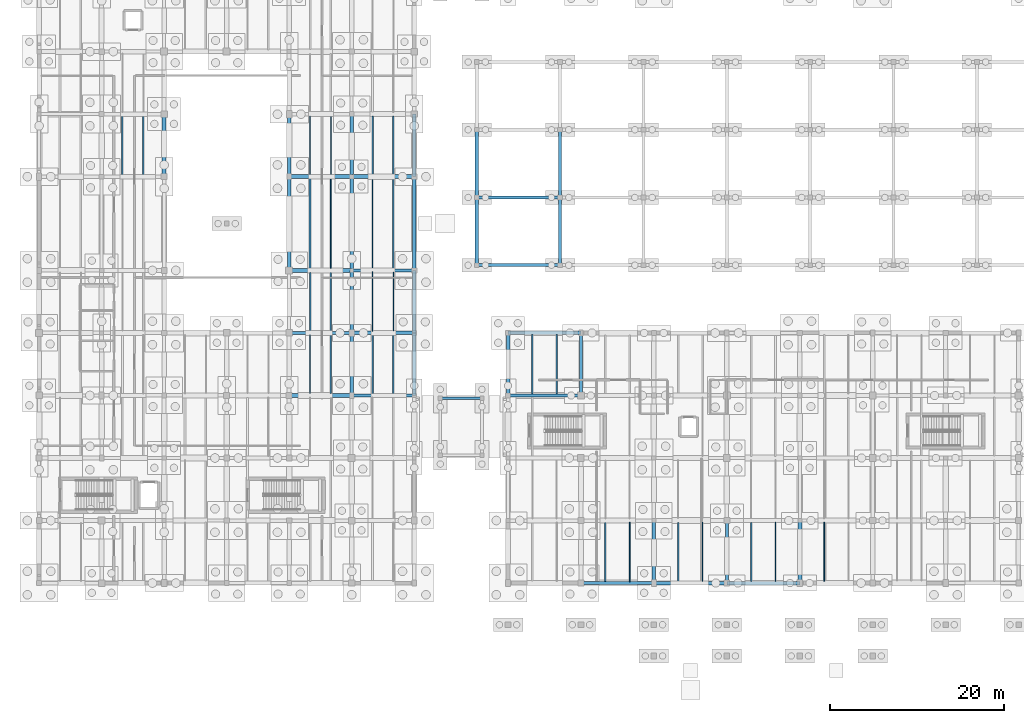
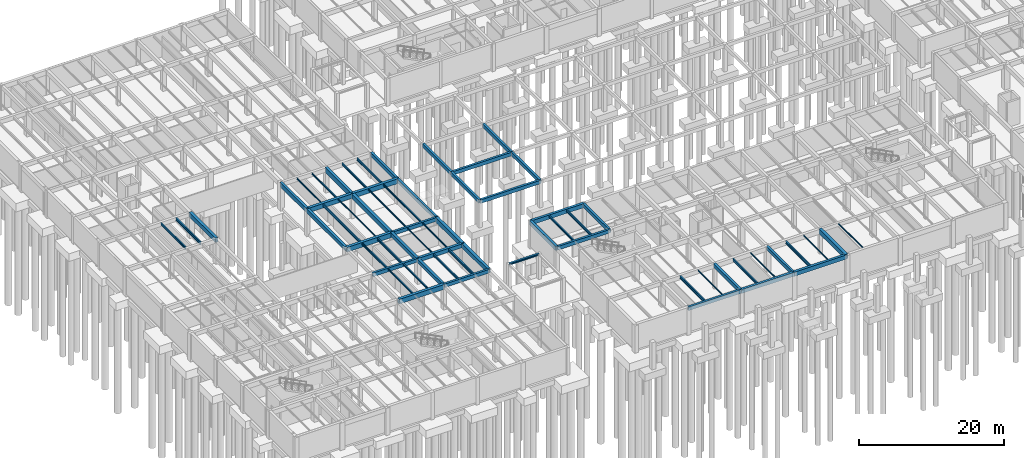
# One storey, part 25 of 63: 63 beams.
"""IFC4 building model written with IfcOpenShell, lengths in metres."""

from ifc_helpers import new_model, si_unit, direction, frame, origin, origin_2d, place, context, subcontext, project, spatial, rectangle, i_section, extrude, material, material_profile, profile_set, type_object, element, save


model = new_model("IFC4")

# Units and contexts
model_context = context("Model", 3, precision=1e-05, world=origin(), true_north=direction((0.0, 1.0)))
body_context = subcontext(model_context, "Body", "Model", "MODEL_VIEW")
ifc_project = project(units=[si_unit("LENGTHUNIT", "METRE"), si_unit("AREAUNIT", "SQUARE_METRE"), si_unit("VOLUMEUNIT", "CUBIC_METRE"), si_unit("PLANEANGLEUNIT", "RADIAN"), si_unit("MASSUNIT", "GRAM", prefix="KILO")], contexts=[model_context])

# Site, building, storey
site_placement = place(None, origin())
site = spatial("IfcSite", under=ifc_project, at=site_placement, CompositionType="ELEMENT")
building_placement = place(site_placement, origin())
building = spatial("IfcBuilding", under=site, at=building_placement, Name="Mazaris Harbour Polytechnic", CompositionType="ELEMENT")
storey_placement = place(building_placement, frame((0.0, 0.0, -4.5)))
storey = spatial("IfcBuildingStorey", under=building, at=storey_placement, Name="B1", CompositionType="ELEMENT", Elevation=-4.5)

# Beams
ifc_material_1 = material(Name="Concrete C35/45", Category="concrete")
ifc_material_profile_1 = material_profile(ifc_material_1, rectangle(XDim=0.35009765625, YDim=0.60009765625, at=origin_2d()), Name="RECT350x600")
ifc_profile_set_1 = profile_set([ifc_material_profile_1], Name="Concrete C35/45")
beam_type_1 = type_object("IfcBeamType", Name="RC Girder 350x600", PredefinedType="BEAM", material=ifc_profile_set_1)
beam_1_placement = place(storey_placement, frame((54.0, 28.800048828125, 3.8798828125), z_axis=(1.0, 0.0, 0.0), x_axis=(0.0, 1.0, 0.0)))
element("IfcBeam", 1, at=beam_1_placement, inside=storey, type_object=beam_type_1, Name="V3 B1 Girder 760", PredefinedType="BEAM", context=body_context, shape_type="SweptSolid", body=[
    extrude(rectangle(XDim=0.35009765625, YDim=0.60009765625, at=origin_2d()), origin(), (0.0, 0.0, 1.0), 8.39990234375),
])
for number, where, z_axis, x_axis, name in (
    (2, (62.39990234375, 28.800048828125, 3.8798828125), (0.0, 1.0, 0.0), (-1.0, 0.0, 0.0), "V3 B1 Tie Girder 780"),
    (3, (79.199951171875, 7.199951171875, 3.8798828125), (0.0, 1.0, 0.0), (-1.0, 0.0, 0.0), "V3 B1 Tie Girder 785"),
    (4, (36.0, 28.800048828125, 3.8798828125), (1.0, 0.0, 0.0), (0.0, 1.0, 0.0), "V4 B1 Girder 1105"),
    (5, (28.800048828125, 36.0, 3.8798828125), (1.0, 0.0, 0.0), (0.0, 1.0, 0.0), "V4 B1 Girder 1110"),
    (6, (36.0, 43.199951171875, 3.8798828125), (1.0, 0.0, 0.0), (0.0, 1.0, 0.0), "V4 B1 Girder 1115"),
):
    element("IfcBeam", number, at=place(storey_placement, frame(where, z_axis=z_axis, x_axis=x_axis)), inside=storey, type_object=beam_type_1, Name=name, PredefinedType="BEAM", context=body_context, shape_type="SweptSolid", body=[
        extrude(rectangle(XDim=0.35009765625, YDim=0.60009765625, at=origin_2d()), origin(), (0.0, 0.0, 1.0), 7.199951171875),
    ])
for number, where, z_axis, x_axis, name in (
    (7, (50.39990234375, 43.800048828125, 3.89990234375), (1.0, 0.0, 0.0), (0.0, 1.0, 0.0), "Courtyard Deck Girder X-3503"),
    (8, (50.39990234375, 51.60009765625, 3.89990234375), (1.0, 0.0, 0.0), (0.0, 1.0, 0.0), "Courtyard Deck Girder X-3510"),
):
    element("IfcBeam", number, at=place(storey_placement, frame(where, z_axis=z_axis, x_axis=x_axis)), inside=storey, type_object=beam_type_1, Name=name, PredefinedType="BEAM", context=body_context, shape_type="SweptSolid", body=[
        extrude(rectangle(XDim=0.35009765625, YDim=0.60009765625, at=origin_2d()), origin(), (0.0, 0.0, 1.0), 9.60009765625),
    ])
beam_2_placement = place(storey_placement, frame((50.39990234375, 43.800048828125, 3.89990234375), z_axis=(0.0, 1.0, 0.0), x_axis=(-1.0, 0.0, 0.0)))
element("IfcBeam", 9, at=beam_2_placement, inside=storey, type_object=beam_type_1, Name="Courtyard Deck Girder Y-3531", PredefinedType="BEAM", context=body_context, shape_type="SweptSolid", body=[
    extrude(rectangle(XDim=0.35009765625, YDim=0.60009765625, at=origin_2d()), origin(), (0.0, 0.0, 1.0), 7.800048828125),
])
beam_3_placement = place(storey_placement, frame((50.39990234375, 51.60009765625, 3.89990234375), z_axis=(0.0, 1.0, 0.0), x_axis=(-1.0, 0.0, 0.0)))
element("IfcBeam", 10, at=beam_3_placement, inside=storey, type_object=beam_type_1, Name="Courtyard Deck Girder Y-3532", PredefinedType="BEAM", context=body_context, shape_type="SweptSolid", body=[
    extrude(rectangle(XDim=0.35009765625, YDim=0.60009765625, at=origin_2d()), origin(), (0.0, 0.0, 1.0), 7.7998046875),
])
beam_4_placement = place(storey_placement, frame((60.0, 43.800048828125, 3.89990234375), z_axis=(0.0, 1.0, 0.0), x_axis=(-1.0, 0.0, 0.0)))
element("IfcBeam", 11, at=beam_4_placement, inside=storey, type_object=beam_type_1, Name="Courtyard Deck Girder Y-3534", PredefinedType="BEAM", context=body_context, shape_type="SweptSolid", body=[
    extrude(rectangle(XDim=0.35009765625, YDim=0.60009765625, at=origin_2d()), origin(), (0.0, 0.0, 1.0), 7.800048828125),
])
beam_5_placement = place(storey_placement, frame((60.0, 51.60009765625, 3.89990234375), z_axis=(0.0, 1.0, 0.0), x_axis=(-1.0, 0.0, 0.0)))
element("IfcBeam", 12, at=beam_5_placement, inside=storey, type_object=beam_type_1, Name="Courtyard Deck Girder Y-3535", PredefinedType="BEAM", context=body_context, shape_type="SweptSolid", body=[
    extrude(rectangle(XDim=0.35009765625, YDim=0.60009765625, at=origin_2d()), origin(), (0.0, 0.0, 1.0), 7.7998046875),
])
ifc_material_2 = material(Name="Concrete C35/45", Category="concrete")
ifc_material_profile_2 = material_profile(ifc_material_2, rectangle(XDim=0.35009765625, YDim=0.60009765625, at=origin_2d()), Name="RECT350x600")
ifc_profile_set_2 = profile_set([ifc_material_profile_2], Name="Concrete C35/45")
beam_type_2 = type_object("IfcBeamType", Name="RC Girder 350x600 Exterior", PredefinedType="BEAM", material=ifc_profile_set_2)
beam_6_placement = place(storey_placement, frame((62.39990234375, 7.199951171875, 3.8798828125), z_axis=(1.0, 0.0, 0.0), x_axis=(0.0, 1.0, 0.0)))
element("IfcBeam", 13, at=beam_6_placement, inside=storey, type_object=beam_type_2, Name="V3 B1 Girder 740", PredefinedType="BEAM", context=body_context, shape_type="SweptSolid", body=[
    extrude(rectangle(XDim=0.35009765625, YDim=0.60009765625, at=origin_2d()), origin(), (0.0, 0.0, 1.0), 8.400146484375),
])
beam_7_placement = place(storey_placement, frame((43.199951171875, 43.199951171875, 3.8798828125), z_axis=(0.0, 1.0, 0.0), x_axis=(-1.0, 0.0, 0.0)))
element("IfcBeam", 14, at=beam_7_placement, inside=storey, type_object=beam_type_2, Name="V4 B1 Tie Girder 1225", PredefinedType="BEAM", context=body_context, shape_type="SweptSolid", body=[
    extrude(rectangle(XDim=0.35009765625, YDim=0.60009765625, at=origin_2d()), origin(), (0.0, 0.0, 1.0), 10.800048828125),
])
ifc_material_3 = material(Name="Concrete C35/45", Category="concrete")
ifc_material_profile_3 = material_profile(ifc_material_3, rectangle(XDim=0.39990234375, YDim=0.64990234375, at=origin_2d()), Name="RECT400x650")
ifc_profile_set_3 = profile_set([ifc_material_profile_3], Name="Concrete C35/45")
beam_type_3 = type_object("IfcBeamType", Name="RC Girder 400x650", PredefinedType="BEAM", material=ifc_profile_set_3)
for number, where, z_axis, x_axis, name in (
    (15, (70.800048828125, 7.199951171875, 3.85498046875), (0.0, 1.0, 0.0), (-1.0, 0.0, 0.0), "V3 B1 Tie Girder 781"),
    (16, (36.0, 36.0, 3.85498046875), (1.0, 0.0, 0.0), (0.0, 1.0, 0.0), "V4 B1 Girder 1111"),
):
    element("IfcBeam", number, at=place(storey_placement, frame(where, z_axis=z_axis, x_axis=x_axis)), inside=storey, type_object=beam_type_3, Name=name, PredefinedType="BEAM", context=body_context, shape_type="SweptSolid", body=[
        extrude(rectangle(XDim=0.39990234375, YDim=0.64990234375, at=origin_2d()), origin(), (0.0, 0.0, 1.0), 7.199951171875),
    ])
beam_8_placement = place(storey_placement, frame((28.800048828125, 43.199951171875, 3.85498046875), z_axis=(0.0, 1.0, 0.0), x_axis=(-1.0, 0.0, 0.0)))
element("IfcBeam", 17, at=beam_8_placement, inside=storey, type_object=beam_type_3, Name="V4 B1 Tie Girder 1201", PredefinedType="BEAM", context=body_context, shape_type="SweptSolid", body=[
    extrude(rectangle(XDim=0.39990234375, YDim=0.64990234375, at=origin_2d()), origin(), (0.0, 0.0, 1.0), 10.800048828125),
])
beam_9_placement = place(storey_placement, frame((36.0, 28.800048828125, 3.85498046875), z_axis=(0.0, 1.0, 0.0), x_axis=(-1.0, 0.0, 0.0)))
element("IfcBeam", 18, at=beam_9_placement, inside=storey, type_object=beam_type_3, Name="V4 B1 Tie Girder 1211", PredefinedType="BEAM", context=body_context, shape_type="SweptSolid", body=[
    extrude(rectangle(XDim=0.39990234375, YDim=0.64990234375, at=origin_2d()), origin(), (0.0, 0.0, 1.0), 7.199951171875),
])
ifc_material_4 = material(Name="Concrete C35/45", Category="concrete")
ifc_material_profile_4 = material_profile(ifc_material_4, rectangle(XDim=0.39990234375, YDim=0.64990234375, at=origin_2d()), Name="RECT400x650")
ifc_profile_set_4 = profile_set([ifc_material_profile_4], Name="Concrete C35/45")
beam_type_4 = type_object("IfcBeamType", Name="RC Girder 400x650 Exterior", PredefinedType="BEAM", material=ifc_profile_set_4)
beam_10_placement = place(storey_placement, frame((70.800048828125, 7.199951171875, 3.85498046875), z_axis=(1.0, 0.0, 0.0), x_axis=(0.0, 1.0, 0.0)))
element("IfcBeam", 19, at=beam_10_placement, inside=storey, type_object=beam_type_4, Name="V3 B1 Girder 741", PredefinedType="BEAM", context=body_context, shape_type="SweptSolid", body=[
    extrude(rectangle(XDim=0.39990234375, YDim=0.64990234375, at=origin_2d()), origin(), (0.0, 0.0, 1.0), 8.39990234375),
])
beam_11_placement = place(storey_placement, frame((43.199951171875, 54.0, 3.85498046875), z_axis=(0.0, 1.0, 0.0), x_axis=(-1.0, 0.0, 0.0)))
element("IfcBeam", 20, at=beam_11_placement, inside=storey, type_object=beam_type_4, Name="V4 B1 Tie Girder 1226", PredefinedType="BEAM", context=body_context, shape_type="SweptSolid", body=[
    extrude(rectangle(XDim=0.39990234375, YDim=0.64990234375, at=origin_2d()), origin(), (0.0, 0.0, 1.0), 7.199951171875),
])
ifc_material_5 = material(Name="Concrete C35/45", Category="concrete")
ifc_material_profile_5 = material_profile(ifc_material_5, rectangle(XDim=0.39990234375, YDim=0.699951171875, at=origin_2d()), Name="RECT400x700")
ifc_profile_set_5 = profile_set([ifc_material_profile_5], Name="Concrete C35/45")
beam_type_5 = type_object("IfcBeamType", Name="RC Girder 400x700", PredefinedType="BEAM", material=ifc_profile_set_5)
for number, where, z_axis, x_axis, name in (
    (21, (28.800048828125, 54.0, 3.830078125), (0.0, 1.0, 0.0), (-1.0, 0.0, 0.0), "V4 B1 Tie Girder 1202"),
    (22, (36.0, 36.0, 3.830078125), (0.0, 1.0, 0.0), (-1.0, 0.0, 0.0), "V4 B1 Tie Girder 1212"),
):
    element("IfcBeam", number, at=place(storey_placement, frame(where, z_axis=z_axis, x_axis=x_axis)), inside=storey, type_object=beam_type_5, Name=name, PredefinedType="BEAM", context=body_context, shape_type="SweptSolid", body=[
        extrude(rectangle(XDim=0.39990234375, YDim=0.699951171875, at=origin_2d()), origin(), (0.0, 0.0, 1.0), 7.199951171875),
    ])
ifc_material_6 = material(Name="Concrete C35/45", Category="concrete")
ifc_material_profile_6 = material_profile(ifc_material_6, rectangle(XDim=0.39990234375, YDim=0.699951171875, at=origin_2d()), Name="RECT400x700")
ifc_profile_set_6 = profile_set([ifc_material_profile_6], Name="Concrete C35/45")
beam_type_6 = type_object("IfcBeamType", Name="RC Girder 400x700 Exterior", PredefinedType="BEAM", material=ifc_profile_set_6)
beam_12_placement = place(storey_placement, frame((79.199951171875, 7.199951171875, 3.830078125), z_axis=(1.0, 0.0, 0.0), x_axis=(0.0, 1.0, 0.0)))
element("IfcBeam", 23, at=beam_12_placement, inside=storey, type_object=beam_type_6, Name="V3 B1 Girder 742", PredefinedType="BEAM", context=body_context, shape_type="SweptSolid", body=[
    extrude(rectangle(XDim=0.39990234375, YDim=0.699951171875, at=origin_2d()), origin(), (0.0, 0.0, 1.0), 8.400146484375),
])
beam_13_placement = place(storey_placement, frame((54.0, 36.0, 3.830078125), z_axis=(1.0, 0.0, 0.0), x_axis=(0.0, 1.0, 0.0)))
element("IfcBeam", 24, at=beam_13_placement, inside=storey, type_object=beam_type_6, Name="V3 B1 Girder 767", PredefinedType="BEAM", context=body_context, shape_type="SweptSolid", body=[
    extrude(rectangle(XDim=0.39990234375, YDim=0.699951171875, at=origin_2d()), origin(), (0.0, 0.0, 1.0), 8.39990234375),
])
beam_14_placement = place(storey_placement, frame((54.0, 28.800048828125, 3.830078125), z_axis=(0.0, 1.0, 0.0), x_axis=(-1.0, 0.0, 0.0)))
element("IfcBeam", 25, at=beam_14_placement, inside=storey, type_object=beam_type_6, Name="V3 B1 Tie Girder 777", PredefinedType="BEAM", context=body_context, shape_type="SweptSolid", body=[
    extrude(rectangle(XDim=0.39990234375, YDim=0.699951171875, at=origin_2d()), origin(), (0.0, 0.0, 1.0), 7.199951171875),
])
ifc_material_7 = material(Name="Concrete C40/50", Category="concrete")
ifc_material_profile_7 = material_profile(ifc_material_7, rectangle(XDim=0.449951171875, YDim=0.75, at=origin_2d()), Name="RECT450x750")
ifc_profile_set_7 = profile_set([ifc_material_profile_7], Name="Concrete C40/50")
beam_type_7 = type_object("IfcBeamType", Name="RC Girder 450x750", PredefinedType="BEAM", material=ifc_profile_set_7)
for number, where, z_axis, x_axis, name in (
    (26, (28.800048828125, 54.0, 3.804931640625), (1.0, 0.0, 0.0), (0.0, 1.0, 0.0), "V4 B1 Girder 1118"),
    (27, (14.39990234375, 54.0, 3.804931640625), (0.0, 1.0, 0.0), (-1.0, 0.0, 0.0), "V4 B1 Tie Girder 1183"),
):
    element("IfcBeam", number, at=place(storey_placement, frame(where, z_axis=z_axis, x_axis=x_axis)), inside=storey, type_object=beam_type_7, Name=name, PredefinedType="BEAM", context=body_context, shape_type="SweptSolid", body=[
        extrude(rectangle(XDim=0.449951171875, YDim=0.75, at=origin_2d()), origin(), (0.0, 0.0, 1.0), 7.199951171875),
    ])
beam_15_placement = place(storey_placement, frame((36.0, 43.199951171875, 3.804931640625), z_axis=(0.0, 1.0, 0.0), x_axis=(-1.0, 0.0, 0.0)))
element("IfcBeam", 28, at=beam_15_placement, inside=storey, type_object=beam_type_7, Name="V4 B1 Tie Girder 1213", PredefinedType="BEAM", context=body_context, shape_type="SweptSolid", body=[
    extrude(rectangle(XDim=0.449951171875, YDim=0.75, at=origin_2d()), origin(), (0.0, 0.0, 1.0), 10.800048828125),
])
ifc_material_8 = material(Name="Concrete C40/50", Category="concrete")
ifc_material_profile_8 = material_profile(ifc_material_8, rectangle(XDim=0.449951171875, YDim=0.75, at=origin_2d()), Name="RECT450x750")
ifc_profile_set_8 = profile_set([ifc_material_profile_8], Name="Concrete C40/50")
beam_type_8 = type_object("IfcBeamType", Name="RC Girder 450x750 Exterior", PredefinedType="BEAM", material=ifc_profile_set_8)
beam_16_placement = place(storey_placement, frame((43.199951171875, 28.800048828125, 3.804931640625), z_axis=(0.0, 1.0, 0.0), x_axis=(-1.0, 0.0, 0.0)))
element("IfcBeam", 29, at=beam_16_placement, inside=storey, type_object=beam_type_8, Name="V4 B1 Tie Girder 1223", PredefinedType="BEAM", context=body_context, shape_type="SweptSolid", body=[
    extrude(rectangle(XDim=0.449951171875, YDim=0.75, at=origin_2d()), origin(), (0.0, 0.0, 1.0), 7.199951171875),
])
ifc_material_9 = material(Name="Concrete C40/50", Category="concrete")
ifc_material_profile_9 = material_profile(ifc_material_9, rectangle(XDim=0.449951171875, YDim=0.800048828125, at=origin_2d()), Name="RECT450x800")
ifc_profile_set_9 = profile_set([ifc_material_profile_9], Name="Concrete C40/50")
beam_type_9 = type_object("IfcBeamType", Name="RC Girder 450x800", PredefinedType="BEAM", material=ifc_profile_set_9)
for number, where, z_axis, x_axis, name in (
    (30, (87.60009765625, 7.199951171875, 3.780029296875), (0.0, 1.0, 0.0), (-1.0, 0.0, 0.0), "V3 B1 Tie Girder 789"),
    (31, (28.800048828125, 28.800048828125, 3.780029296875), (1.0, 0.0, 0.0), (0.0, 1.0, 0.0), "V4 B1 Girder 1104"),
    (32, (28.800048828125, 43.199951171875, 3.780029296875), (1.0, 0.0, 0.0), (0.0, 1.0, 0.0), "V4 B1 Girder 1114"),
    (33, (36.0, 54.0, 3.780029296875), (1.0, 0.0, 0.0), (0.0, 1.0, 0.0), "V4 B1 Girder 1119"),
    (34, (36.0, 54.0, 3.780029296875), (0.0, 1.0, 0.0), (-1.0, 0.0, 0.0), "V4 B1 Tie Girder 1214"),
):
    element("IfcBeam", number, at=place(storey_placement, frame(where, z_axis=z_axis, x_axis=x_axis)), inside=storey, type_object=beam_type_9, Name=name, PredefinedType="BEAM", context=body_context, shape_type="SweptSolid", body=[
        extrude(rectangle(XDim=0.449951171875, YDim=0.800048828125, at=origin_2d()), origin(), (0.0, 0.0, 1.0), 7.199951171875),
    ])
ifc_material_10 = material(Name="Concrete C40/50", Category="concrete")
ifc_material_profile_10 = material_profile(ifc_material_10, rectangle(XDim=0.449951171875, YDim=0.800048828125, at=origin_2d()), Name="RECT450x800")
ifc_profile_set_10 = profile_set([ifc_material_profile_10], Name="Concrete C40/50")
beam_type_10 = type_object("IfcBeamType", Name="RC Girder 450x800 Exterior", PredefinedType="BEAM", material=ifc_profile_set_10)
beam_17_placement = place(storey_placement, frame((43.199951171875, 36.0, 3.780029296875), z_axis=(0.0, 1.0, 0.0), x_axis=(-1.0, 0.0, 0.0)))
element("IfcBeam", 35, at=beam_17_placement, inside=storey, type_object=beam_type_10, Name="V4 B1 Tie Girder 1224", PredefinedType="BEAM", context=body_context, shape_type="SweptSolid", body=[
    extrude(rectangle(XDim=0.449951171875, YDim=0.800048828125, at=origin_2d()), origin(), (0.0, 0.0, 1.0), 7.199951171875),
])
ifc_material_11 = material(Name="Steel S355", Category="steel")
ifc_material_profile_11 = material_profile(ifc_material_11, i_section(OverallWidth=0.300048828125, OverallDepth=0.2900390625, WebThickness=0.008544921875, FlangeThickness=0.013916015625, FilletRadius=0.027099609375, at=origin_2d()), Name="HEA 300")
ifc_profile_set_11 = profile_set([ifc_material_profile_11], Name="Steel S355")
beam_type_11 = type_object("IfcBeamType", Name="Steel Beam HEA300 Exterior", PredefinedType="SPANDREL", material=ifc_profile_set_11)
beam_18_placement = place(storey_placement, frame((46.199951171875, 28.5, 4.090087890625), z_axis=(1.0, 0.0, 0.0), x_axis=(0.0, 1.0, 0.0)))
element("IfcBeam", 36, at=beam_18_placement, inside=storey, type_object=beam_type_11, Name="PB-W1 B1 Bridge Beam 3402", PredefinedType="SPANDREL", context=body_context, shape_type="SweptSolid", body=[
    extrude(i_section(OverallWidth=0.300048828125, OverallDepth=0.2900390625, WebThickness=0.008544921875, FlangeThickness=0.013916015625, FilletRadius=0.027099609375, at=origin_2d()), origin(), (0.0, 0.0, 1.0), 4.800048828125),
])
ifc_material_12 = material(Name="Steel S355", Category="steel")
ifc_material_profile_12 = material_profile(ifc_material_12, i_section(OverallWidth=0.10009765625, OverallDepth=0.199951171875, WebThickness=0.005615234375, FlangeThickness=0.008544921875, FilletRadius=0.011962890625, at=origin_2d()), Name="IPE 200")
ifc_profile_set_12 = profile_set([ifc_material_profile_12], Name="Steel S355")
beam_type_12 = type_object("IfcBeamType", Name="Steel Joist IPE200", PredefinedType="JOIST", material=ifc_profile_set_12)
beam_19_placement = place(storey_placement, frame((68.0, 7.375, 4.080078125), z_axis=(0.0, 1.0, 0.0), x_axis=(-1.0, 0.0, 0.0)))
element("IfcBeam", 37, at=beam_19_placement, inside=storey, type_object=beam_type_12, Name="V3 B1 Floor Joist 812", PredefinedType="JOIST", context=body_context, shape_type="SweptSolid", body=[
    extrude(i_section(OverallWidth=0.10009765625, OverallDepth=0.199951171875, WebThickness=0.005615234375, FlangeThickness=0.008544921875, FilletRadius=0.011962890625, at=origin_2d()), origin(), (0.0, 0.0, 1.0), 6.824951171875),
])
for number, where, z_axis, x_axis, name in (
    (38, (76.39990234375, 7.39990234375, 4.080078125), (0.0, 1.0, 0.0), (-1.0, 0.0, 0.0), "V3 B1 Floor Joist 819"),
    (39, (84.800048828125, 7.39990234375, 4.080078125), (0.0, 1.0, 0.0), (-1.0, 0.0, 0.0), "V3 B1 Floor Joist 826"),
):
    element("IfcBeam", number, at=place(storey_placement, frame(where, z_axis=z_axis, x_axis=x_axis)), inside=storey, type_object=beam_type_12, Name=name, PredefinedType="JOIST", context=body_context, shape_type="SweptSolid", body=[
        extrude(i_section(OverallWidth=0.10009765625, OverallDepth=0.199951171875, WebThickness=0.005615234375, FlangeThickness=0.008544921875, FilletRadius=0.011962890625, at=origin_2d()), origin(), (0.0, 0.0, 1.0), 6.775146484375),
    ])
beam_20_placement = place(storey_placement, frame((90.39990234375, 7.425048828125, 4.080078125), z_axis=(0.0, 1.0, 0.0), x_axis=(-1.0, 0.0, 0.0)))
element("IfcBeam", 40, at=beam_20_placement, inside=storey, type_object=beam_type_12, Name="V3 B1 Floor Joist 833", PredefinedType="JOIST", context=body_context, shape_type="SweptSolid", body=[
    extrude(i_section(OverallWidth=0.10009765625, OverallDepth=0.199951171875, WebThickness=0.005615234375, FlangeThickness=0.008544921875, FilletRadius=0.011962890625, at=origin_2d()), origin(), (0.0, 0.0, 1.0), 6.800048828125),
])
beam_21_placement = place(storey_placement, frame((33.60009765625, 43.425048828125, 4.080078125), z_axis=(0.0, 1.0, 0.0), x_axis=(-1.0, 0.0, 0.0)))
element("IfcBeam", 41, at=beam_21_placement, inside=storey, type_object=beam_type_12, Name="V4 B1 Floor Joist 1316", PredefinedType="JOIST", context=body_context, shape_type="SweptSolid", body=[
    extrude(i_section(OverallWidth=0.10009765625, OverallDepth=0.199951171875, WebThickness=0.005615234375, FlangeThickness=0.008544921875, FilletRadius=0.011962890625, at=origin_2d()), origin(), (0.0, 0.0, 1.0), 10.349853515625),
])
beam_22_placement = place(storey_placement, frame((38.39990234375, 36.199951171875, 4.080078125), z_axis=(0.0, 1.0, 0.0), x_axis=(-1.0, 0.0, 0.0)))
element("IfcBeam", 42, at=beam_22_placement, inside=storey, type_object=beam_type_12, Name="V4 B1 Floor Joist 1337", PredefinedType="JOIST", context=body_context, shape_type="SweptSolid", body=[
    extrude(i_section(OverallWidth=0.10009765625, OverallDepth=0.199951171875, WebThickness=0.005615234375, FlangeThickness=0.008544921875, FilletRadius=0.011962890625, at=origin_2d()), origin(), (0.0, 0.0, 1.0), 6.824951171875),
])
ifc_material_13 = material(Name="Steel S355", Category="steel")
ifc_material_profile_13 = material_profile(ifc_material_13, i_section(OverallWidth=0.1201171875, OverallDepth=0.239990234375, WebThickness=0.006103515625, FlangeThickness=0.009765625, FilletRadius=0.014892578125, at=origin_2d()), Name="IPE 240")
ifc_profile_set_13 = profile_set([ifc_material_profile_13], Name="Steel S355")
beam_type_13 = type_object("IfcBeamType", Name="Steel Joist IPE240", PredefinedType="JOIST", material=ifc_profile_set_13)
beam_23_placement = place(storey_placement, frame((31.199951171875, 54.22509765625, 4.06005859375), z_axis=(0.0, 1.0, 0.0), x_axis=(-1.0, 0.0, 0.0)))
element("IfcBeam", 43, at=beam_23_placement, inside=storey, type_object=beam_type_13, Name="V4 B1 Floor Joist 1317", PredefinedType="JOIST", context=body_context, shape_type="SweptSolid", body=[
    extrude(i_section(OverallWidth=0.1201171875, OverallDepth=0.239990234375, WebThickness=0.006103515625, FlangeThickness=0.009765625, FilletRadius=0.014892578125, at=origin_2d()), origin(), (0.0, 0.0, 1.0), 6.77490234375),
])
beam_24_placement = place(storey_placement, frame((40.800048828125, 36.199951171875, 4.06005859375), z_axis=(0.0, 1.0, 0.0), x_axis=(-1.0, 0.0, 0.0)))
element("IfcBeam", 44, at=beam_24_placement, inside=storey, type_object=beam_type_13, Name="V4 B1 Floor Joist 1338", PredefinedType="JOIST", context=body_context, shape_type="SweptSolid", body=[
    extrude(i_section(OverallWidth=0.1201171875, OverallDepth=0.239990234375, WebThickness=0.006103515625, FlangeThickness=0.009765625, FilletRadius=0.014892578125, at=origin_2d()), origin(), (0.0, 0.0, 1.0), 6.824951171875),
])
ifc_material_14 = material(Name="Steel S355", Category="steel")
ifc_material_profile_14 = material_profile(ifc_material_14, i_section(OverallWidth=0.135009765625, OverallDepth=0.27001953125, WebThickness=0.006591796875, FlangeThickness=0.01025390625, FilletRadius=0.014892578125, at=origin_2d()), Name="IPE 270")
ifc_profile_set_14 = profile_set([ifc_material_profile_14], Name="Steel S355")
beam_type_14 = type_object("IfcBeamType", Name="Steel Joist IPE270", PredefinedType="JOIST", material=ifc_profile_set_14)
beam_25_placement = place(storey_placement, frame((31.199951171875, 29.02490234375, 4.044921875), z_axis=(0.0, 1.0, 0.0), x_axis=(-1.0, 0.0, 0.0)))
element("IfcBeam", 45, at=beam_25_placement, inside=storey, type_object=beam_type_14, Name="V4 B1 Floor Joist 1311", PredefinedType="JOIST", context=body_context, shape_type="SweptSolid", body=[
    extrude(i_section(OverallWidth=0.135009765625, OverallDepth=0.27001953125, WebThickness=0.006591796875, FlangeThickness=0.01025390625, FilletRadius=0.014892578125, at=origin_2d()), origin(), (0.0, 0.0, 1.0), 6.800048828125),
])
beam_26_placement = place(storey_placement, frame((33.60009765625, 54.22509765625, 4.044921875), z_axis=(0.0, 1.0, 0.0), x_axis=(-1.0, 0.0, 0.0)))
element("IfcBeam", 46, at=beam_26_placement, inside=storey, type_object=beam_type_14, Name="V4 B1 Floor Joist 1318", PredefinedType="JOIST", context=body_context, shape_type="SweptSolid", body=[
    extrude(i_section(OverallWidth=0.135009765625, OverallDepth=0.27001953125, WebThickness=0.006591796875, FlangeThickness=0.01025390625, FilletRadius=0.014892578125, at=origin_2d()), origin(), (0.0, 0.0, 1.0), 6.77490234375),
])
beam_27_placement = place(storey_placement, frame((38.39990234375, 43.375, 4.044921875), z_axis=(0.0, 1.0, 0.0), x_axis=(-1.0, 0.0, 0.0)))
element("IfcBeam", 47, at=beam_27_placement, inside=storey, type_object=beam_type_14, Name="V4 B1 Floor Joist 1339", PredefinedType="JOIST", context=body_context, shape_type="SweptSolid", body=[
    extrude(i_section(OverallWidth=0.135009765625, OverallDepth=0.27001953125, WebThickness=0.006591796875, FlangeThickness=0.01025390625, FilletRadius=0.014892578125, at=origin_2d()), origin(), (0.0, 0.0, 1.0), 10.39990234375),
])
ifc_material_15 = material(Name="Steel S355", Category="steel")
ifc_material_profile_15 = material_profile(ifc_material_15, i_section(OverallWidth=0.14990234375, OverallDepth=0.300048828125, WebThickness=0.007080078125, FlangeThickness=0.0107421875, FilletRadius=0.014892578125, at=origin_2d()), Name="IPE 300")
ifc_profile_set_15 = profile_set([ifc_material_profile_15], Name="Steel S355")
beam_type_15 = type_object("IfcBeamType", Name="Steel Joist IPE300", PredefinedType="JOIST", material=ifc_profile_set_15)
beam_28_placement = place(storey_placement, frame((33.60009765625, 29.02490234375, 4.030029296875), z_axis=(0.0, 1.0, 0.0), x_axis=(-1.0, 0.0, 0.0)))
element("IfcBeam", 48, at=beam_28_placement, inside=storey, type_object=beam_type_15, Name="V4 B1 Floor Joist 1312", PredefinedType="JOIST", context=body_context, shape_type="SweptSolid", body=[
    extrude(i_section(OverallWidth=0.14990234375, OverallDepth=0.300048828125, WebThickness=0.007080078125, FlangeThickness=0.0107421875, FilletRadius=0.014892578125, at=origin_2d()), origin(), (0.0, 0.0, 1.0), 6.800048828125),
])
beam_29_placement = place(storey_placement, frame((40.800048828125, 43.375, 4.030029296875), z_axis=(0.0, 1.0, 0.0), x_axis=(-1.0, 0.0, 0.0)))
element("IfcBeam", 49, at=beam_29_placement, inside=storey, type_object=beam_type_15, Name="V4 B1 Floor Joist 1340", PredefinedType="JOIST", context=body_context, shape_type="SweptSolid", body=[
    extrude(i_section(OverallWidth=0.14990234375, OverallDepth=0.300048828125, WebThickness=0.007080078125, FlangeThickness=0.0107421875, FilletRadius=0.014892578125, at=origin_2d()), origin(), (0.0, 0.0, 1.0), 10.39990234375),
])
ifc_material_16 = material(Name="Steel S355", Category="steel")
ifc_material_profile_16 = material_profile(ifc_material_16, i_section(OverallWidth=0.169921875, OverallDepth=0.360107421875, WebThickness=0.008056640625, FlangeThickness=0.0126953125, FilletRadius=0.01806640625, at=origin_2d()), Name="IPE 360")
ifc_profile_set_16 = profile_set([ifc_material_profile_16], Name="Steel S355")
beam_type_16 = type_object("IfcBeamType", Name="Steel Joist IPE360", PredefinedType="JOIST", material=ifc_profile_set_16)
beam_30_placement = place(storey_placement, frame((56.800048828125, 28.97509765625, 4.0), z_axis=(0.0, 1.0, 0.0), x_axis=(-1.0, 0.0, 0.0)))
element("IfcBeam", 50, at=beam_30_placement, inside=storey, type_object=beam_type_16, Name="V3 B1 Floor Joist 809", PredefinedType="JOIST", context=body_context, shape_type="SweptSolid", body=[
    extrude(i_section(OverallWidth=0.169921875, OverallDepth=0.360107421875, WebThickness=0.008056640625, FlangeThickness=0.0126953125, FilletRadius=0.01806640625, at=origin_2d()), origin(), (0.0, 0.0, 1.0), 6.824951171875),
])
beam_31_placement = place(storey_placement, frame((31.199951171875, 36.175048828125, 4.0), z_axis=(0.0, 1.0, 0.0), x_axis=(-1.0, 0.0, 0.0)))
element("IfcBeam", 51, at=beam_31_placement, inside=storey, type_object=beam_type_16, Name="V4 B1 Floor Joist 1313", PredefinedType="JOIST", context=body_context, shape_type="SweptSolid", body=[
    extrude(i_section(OverallWidth=0.169921875, OverallDepth=0.360107421875, WebThickness=0.008056640625, FlangeThickness=0.0126953125, FilletRadius=0.01806640625, at=origin_2d()), origin(), (0.0, 0.0, 1.0), 6.800048828125),
])
beam_32_placement = place(storey_placement, frame((38.39990234375, 54.22509765625, 4.0), z_axis=(0.0, 1.0, 0.0), x_axis=(-1.0, 0.0, 0.0)))
element("IfcBeam", 52, at=beam_32_placement, inside=storey, type_object=beam_type_16, Name="V4 B1 Floor Joist 1341", PredefinedType="JOIST", context=body_context, shape_type="SweptSolid", body=[
    extrude(i_section(OverallWidth=0.169921875, OverallDepth=0.360107421875, WebThickness=0.008056640625, FlangeThickness=0.0126953125, FilletRadius=0.01806640625, at=origin_2d()), origin(), (0.0, 0.0, 1.0), 6.75),
])
ifc_material_17 = material(Name="Steel S355", Category="steel")
ifc_material_profile_17 = material_profile(ifc_material_17, i_section(OverallWidth=0.179931640625, OverallDepth=0.39990234375, WebThickness=0.008544921875, FlangeThickness=0.013427734375, FilletRadius=0.02099609375, at=origin_2d()), Name="IPE 400")
ifc_profile_set_17 = profile_set([ifc_material_profile_17], Name="Steel S355")
beam_type_17 = type_object("IfcBeamType", Name="Steel Joist IPE400", PredefinedType="JOIST", material=ifc_profile_set_17)
beam_33_placement = place(storey_placement, frame((59.60009765625, 28.97509765625, 3.97998046875), z_axis=(0.0, 1.0, 0.0), x_axis=(-1.0, 0.0, 0.0)))
element("IfcBeam", 53, at=beam_33_placement, inside=storey, type_object=beam_type_17, Name="V3 B1 Floor Joist 810", PredefinedType="JOIST", context=body_context, shape_type="SweptSolid", body=[
    extrude(i_section(OverallWidth=0.179931640625, OverallDepth=0.39990234375, WebThickness=0.008544921875, FlangeThickness=0.013427734375, FilletRadius=0.02099609375, at=origin_2d()), origin(), (0.0, 0.0, 1.0), 6.824951171875),
])
for number, where, z_axis, x_axis, name in (
    (54, (9.60009765625, 54.199951171875, 3.97998046875), (0.0, 1.0, 0.0), (-1.0, 0.0, 0.0), "V4 B1 Floor Joist 1265"),
    (55, (33.60009765625, 36.175048828125, 3.97998046875), (0.0, 1.0, 0.0), (-1.0, 0.0, 0.0), "V4 B1 Floor Joist 1314"),
):
    element("IfcBeam", number, at=place(storey_placement, frame(where, z_axis=z_axis, x_axis=x_axis)), inside=storey, type_object=beam_type_17, Name=name, PredefinedType="JOIST", context=body_context, shape_type="SweptSolid", body=[
        extrude(i_section(OverallWidth=0.179931640625, OverallDepth=0.39990234375, WebThickness=0.008544921875, FlangeThickness=0.013427734375, FilletRadius=0.02099609375, at=origin_2d()), origin(), (0.0, 0.0, 1.0), 6.800048828125),
    ])
beam_34_placement = place(storey_placement, frame((38.39990234375, 28.97509765625, 3.97998046875), z_axis=(0.0, 1.0, 0.0), x_axis=(-1.0, 0.0, 0.0)))
element("IfcBeam", 56, at=beam_34_placement, inside=storey, type_object=beam_type_17, Name="V4 B1 Floor Joist 1335", PredefinedType="JOIST", context=body_context, shape_type="SweptSolid", body=[
    extrude(i_section(OverallWidth=0.179931640625, OverallDepth=0.39990234375, WebThickness=0.008544921875, FlangeThickness=0.013427734375, FilletRadius=0.02099609375, at=origin_2d()), origin(), (0.0, 0.0, 1.0), 6.824951171875),
])
beam_35_placement = place(storey_placement, frame((40.800048828125, 54.22509765625, 3.97998046875), z_axis=(0.0, 1.0, 0.0), x_axis=(-1.0, 0.0, 0.0)))
element("IfcBeam", 57, at=beam_35_placement, inside=storey, type_object=beam_type_17, Name="V4 B1 Floor Joist 1342", PredefinedType="JOIST", context=body_context, shape_type="SweptSolid", body=[
    extrude(i_section(OverallWidth=0.179931640625, OverallDepth=0.39990234375, WebThickness=0.008544921875, FlangeThickness=0.013427734375, FilletRadius=0.02099609375, at=origin_2d()), origin(), (0.0, 0.0, 1.0), 6.75),
])
ifc_material_18 = material(Name="Steel S355", Category="steel")
ifc_material_profile_18 = material_profile(ifc_material_18, i_section(OverallWidth=0.18994140625, OverallDepth=0.449951171875, WebThickness=0.009521484375, FlangeThickness=0.0146484375, FilletRadius=0.02099609375, at=origin_2d()), Name="IPE 450")
ifc_profile_set_18 = profile_set([ifc_material_profile_18], Name="Steel S355")
beam_type_18 = type_object("IfcBeamType", Name="Steel Joist IPE450", PredefinedType="JOIST", material=ifc_profile_set_18)
beam_36_placement = place(storey_placement, frame((65.199951171875, 7.375, 3.955078125), z_axis=(0.0, 1.0, 0.0), x_axis=(-1.0, 0.0, 0.0)))
element("IfcBeam", 58, at=beam_36_placement, inside=storey, type_object=beam_type_18, Name="V3 B1 Floor Joist 811", PredefinedType="JOIST", context=body_context, shape_type="SweptSolid", body=[
    extrude(i_section(OverallWidth=0.18994140625, OverallDepth=0.449951171875, WebThickness=0.009521484375, FlangeThickness=0.0146484375, FilletRadius=0.02099609375, at=origin_2d()), origin(), (0.0, 0.0, 1.0), 6.824951171875),
])
for number, where, z_axis, x_axis, name in (
    (59, (73.60009765625, 7.39990234375, 3.955078125), (0.0, 1.0, 0.0), (-1.0, 0.0, 0.0), "V3 B1 Floor Joist 818"),
    (60, (82.0, 7.39990234375, 3.955078125), (0.0, 1.0, 0.0), (-1.0, 0.0, 0.0), "V3 B1 Floor Joist 825"),
):
    element("IfcBeam", number, at=place(storey_placement, frame(where, z_axis=z_axis, x_axis=x_axis)), inside=storey, type_object=beam_type_18, Name=name, PredefinedType="JOIST", context=body_context, shape_type="SweptSolid", body=[
        extrude(i_section(OverallWidth=0.18994140625, OverallDepth=0.449951171875, WebThickness=0.009521484375, FlangeThickness=0.0146484375, FilletRadius=0.02099609375, at=origin_2d()), origin(), (0.0, 0.0, 1.0), 6.775146484375),
    ])
beam_37_placement = place(storey_placement, frame((12.0, 54.199951171875, 3.955078125), z_axis=(0.0, 1.0, 0.0), x_axis=(-1.0, 0.0, 0.0)))
element("IfcBeam", 61, at=beam_37_placement, inside=storey, type_object=beam_type_18, Name="V4 B1 Floor Joist 1266", PredefinedType="JOIST", context=body_context, shape_type="SweptSolid", body=[
    extrude(i_section(OverallWidth=0.18994140625, OverallDepth=0.449951171875, WebThickness=0.009521484375, FlangeThickness=0.0146484375, FilletRadius=0.02099609375, at=origin_2d()), origin(), (0.0, 0.0, 1.0), 6.800048828125),
])
beam_38_placement = place(storey_placement, frame((31.199951171875, 43.425048828125, 3.955078125), z_axis=(0.0, 1.0, 0.0), x_axis=(-1.0, 0.0, 0.0)))
element("IfcBeam", 62, at=beam_38_placement, inside=storey, type_object=beam_type_18, Name="V4 B1 Floor Joist 1315", PredefinedType="JOIST", context=body_context, shape_type="SweptSolid", body=[
    extrude(i_section(OverallWidth=0.18994140625, OverallDepth=0.449951171875, WebThickness=0.009521484375, FlangeThickness=0.0146484375, FilletRadius=0.02099609375, at=origin_2d()), origin(), (0.0, 0.0, 1.0), 10.349853515625),
])
beam_39_placement = place(storey_placement, frame((40.800048828125, 28.97509765625, 3.955078125), z_axis=(0.0, 1.0, 0.0), x_axis=(-1.0, 0.0, 0.0)))
element("IfcBeam", 63, at=beam_39_placement, inside=storey, type_object=beam_type_18, Name="V4 B1 Floor Joist 1336", PredefinedType="JOIST", context=body_context, shape_type="SweptSolid", body=[
    extrude(i_section(OverallWidth=0.18994140625, OverallDepth=0.449951171875, WebThickness=0.009521484375, FlangeThickness=0.0146484375, FilletRadius=0.02099609375, at=origin_2d()), origin(), (0.0, 0.0, 1.0), 6.824951171875),
])

save(model, "model.ifc")
